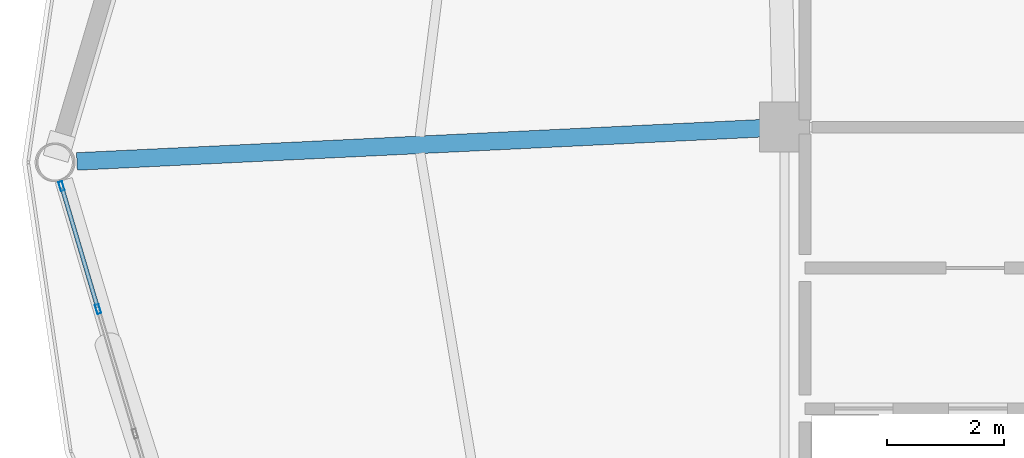
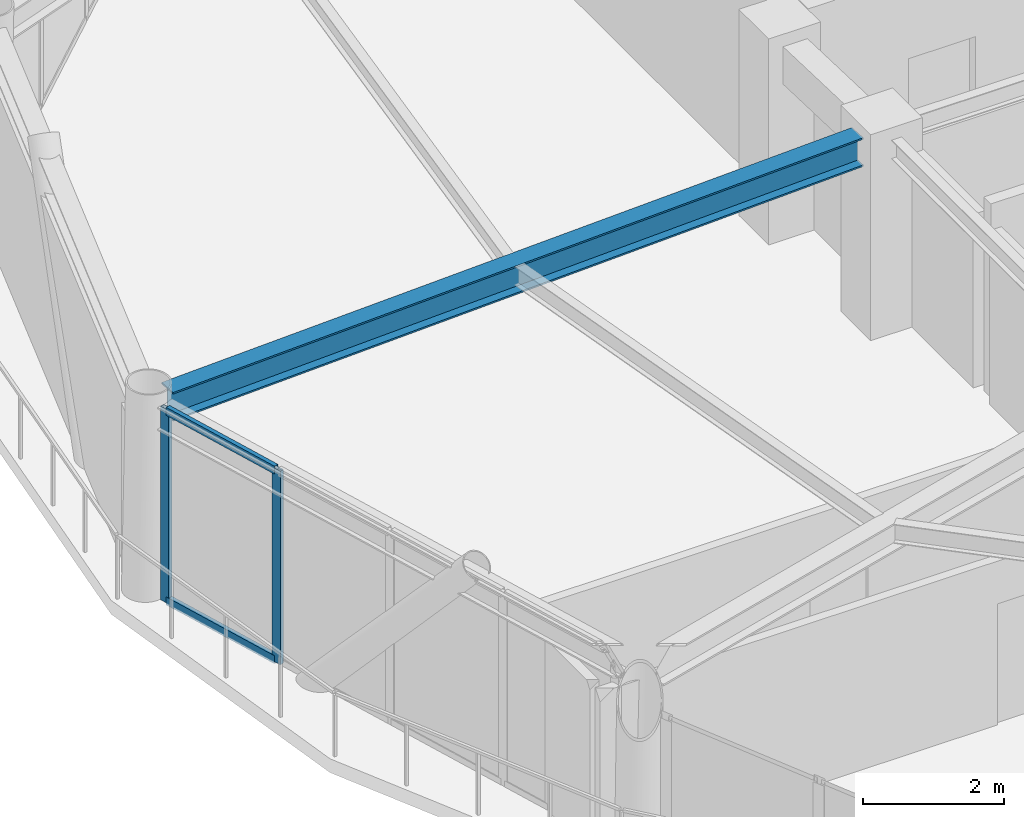
# One storey, part 11 of 28: 4 members, 1 beam, 1 element without a shape of its own.
"""IFC4 building model written with IfcOpenShell, lengths in metres."""

from ifc_helpers import new_model, si_unit, direction, frame, origin, origin_2d, place, context, subcontext, project, spatial, hollow_rectangle, i_section, extrude, material, layer, layer_set, material_profile, profile_set, type_object, element, aggregate, save


model = new_model("IFC4")

# Units and contexts
model_context = context("Model", 3, precision=1e-05, world=origin(), true_north=direction((0.0, 1.0)))
body_context = subcontext(model_context, "Body", "Model", "MODEL_VIEW")
ifc_project = project(units=[si_unit("LENGTHUNIT", "METRE"), si_unit("AREAUNIT", "SQUARE_METRE"), si_unit("VOLUMEUNIT", "CUBIC_METRE"), si_unit("PLANEANGLEUNIT", "RADIAN"), si_unit("MASSUNIT", "GRAM", prefix="KILO")], contexts=[model_context])

# Site, building, storey
site_placement = place(None, origin())
site = spatial("IfcSite", under=ifc_project, at=site_placement, CompositionType="ELEMENT")
building_placement = place(site_placement, origin())
building = spatial("IfcBuilding", under=site, at=building_placement, Name="Varnakorn Sky Granary", CompositionType="ELEMENT")
storey_placement = place(building_placement, frame((0.0, 0.0, 186.0)))
storey = spatial("IfcBuildingStorey", under=building, at=storey_placement, Name="L46", CompositionType="ELEMENT", Elevation=186.0)

# Beam
ifc_material_1 = material(Name="Steel S355JR", Category="steel")
ifc_material_profile_1 = material_profile(ifc_material_1, i_section(OverallWidth=0.300048828125, OverallDepth=0.5, WebThickness=0.014404296875, FlangeThickness=0.028076171875, at=origin_2d()), Name="HE 500 B")
ifc_profile_set_1 = profile_set([ifc_material_profile_1], Name="Steel S355JR")
beam_type = type_object("IfcBeamType", Name="BM-RAD-Z4", PredefinedType="BEAM", material=ifc_profile_set_1)
beam_placement = place(storey_placement, frame((-2.75439453125, 0.580322265625, 3.110107421875), z_axis=(-0.998827272636, -0.048415694134, 0.0), x_axis=(0.048415694134, -0.998827272636, 0.0)))
element("IfcBeam", 1, at=beam_placement, inside=storey, type_object=beam_type, Name="Radial Floor Girder RG07 L46", PredefinedType="BEAM", context=body_context, shape_type="SweptSolid", body=[
    extrude(i_section(OverallWidth=0.300048828125, OverallDepth=0.5, WebThickness=0.014404296875, FlangeThickness=0.028076171875, at=origin_2d()), origin(), (0.0, 0.0, 1.0), 11.673583984375),
])

# Curtain wall, members
ifc_material_2 = material(Name="Anodised Bronze Aluminium Alloy 6063-T6", Category="aluminium")
ifc_layer = layer(ifc_material_2, 0.169921875, Name="Anodised Bronze Aluminium Alloy 6063-T6")
ifc_layer_set = layer_set([ifc_layer], Name="Anodised Bronze Aluminium Alloy 6063-T6")
curtain_wall_type = type_object("IfcCurtainWallType", Name="CW-LAB-1", PredefinedType="USERDEFINED", material=ifc_layer_set)
curtain_wall_placement = place(storey_placement, origin())
curtain_wall = element("IfcCurtainWall", 2, at=curtain_wall_placement, inside=storey, type_object=curtain_wall_type, Name="Unitised Curtain Wall CW5 CW-L46-B07", ObjectType="CURTAIN WALL", PredefinedType="USERDEFINED")
ifc_material_profile_2 = material_profile(ifc_material_2, hollow_rectangle(XDim=0.06494140625, YDim=0.159912109375, WallThickness=0.00341796875, at=origin_2d()), Name="ALU MULL 65x160")
ifc_profile_set_2 = profile_set([ifc_material_profile_2], Name="Anodised Bronze Aluminium Alloy 6063-T6")
member_type_1 = type_object("IfcMemberType", Name="CW-LAB-1-MULL", PredefinedType="MULLION", material=ifc_profile_set_2)
member_1_placement = place(storey_placement, frame((-14.05419921875, -2.5009765625, 0.0), z_axis=(0.0, 0.0, 1.0), x_axis=(-0.958613672651, -0.28471007465, 0.0)))
member_1 = element("IfcMember", 3, at=member_1_placement, type_object=member_type_1, Name="CW5 mullion 4", PredefinedType="MULLION", context=body_context, shape_type="SweptSolid", body=[
    extrude(hollow_rectangle(XDim=0.06494140625, YDim=0.159912109375, WallThickness=0.00341796875, at=origin_2d()), origin(), (0.0, 0.0, 1.0), 3.360107421875),
])
member_2_placement = place(storey_placement, frame((-14.6767578125, -0.405029296875, 0.0), z_axis=(0.0, 0.0, 1.0), x_axis=(-0.958613672651, -0.28471007465, 0.0)))
member_2 = element("IfcMember", 4, at=member_2_placement, type_object=member_type_1, Name="CW5 mullion 5", PredefinedType="MULLION", context=body_context, shape_type="SweptSolid", body=[
    extrude(hollow_rectangle(XDim=0.06494140625, YDim=0.159912109375, WallThickness=0.00341796875, at=origin_2d()), origin(), (0.0, 0.0, 1.0), 3.360107421875),
])
ifc_material_profile_3 = material_profile(ifc_material_2, hollow_rectangle(XDim=0.070068359375, YDim=0.139892578125, WallThickness=0.00341796875, at=origin_2d()), Name="ALU TRAN 70x140")
ifc_profile_set_3 = profile_set([ifc_material_profile_3], Name="Anodised Bronze Aluminium Alloy 6063-T6")
member_type_2 = type_object("IfcMemberType", Name="CW-LAB-1-TRAN", PredefinedType="USERDEFINED", material=ifc_profile_set_3)
member_3_placement = place(storey_placement, frame((-14.0634765625, -2.469970703125, 0.034912109375), z_axis=(-0.284707350293, 0.958614481786, 0.0), x_axis=(-0.958614481786, -0.284707350293, 0.0)))
member_3 = element("IfcMember", 5, at=member_3_placement, type_object=member_type_2, Name="CW5 transom 4.1", ObjectType="TRANSOM", PredefinedType="USERDEFINED", context=body_context, shape_type="SweptSolid", body=[
    extrude(hollow_rectangle(XDim=0.070068359375, YDim=0.139892578125, WallThickness=0.00341796875, at=origin_2d()), origin(), (0.0, 0.0, 1.0), 2.12158203125),
])
member_4_placement = place(storey_placement, frame((-14.0634765625, -2.469970703125, 3.324951171875), z_axis=(-0.284707350293, 0.958614481786, 0.0), x_axis=(-0.958614481786, -0.284707350293, 0.0)))
member_4 = element("IfcMember", 6, at=member_4_placement, type_object=member_type_2, Name="CW5 transom 4.2", ObjectType="TRANSOM", PredefinedType="USERDEFINED", context=body_context, shape_type="SweptSolid", body=[
    extrude(hollow_rectangle(XDim=0.070068359375, YDim=0.139892578125, WallThickness=0.00341796875, at=origin_2d()), origin(), (0.0, 0.0, 1.0), 2.12158203125),
])
aggregate(curtain_wall, [member_1, member_2, member_3, member_4])

save(model, "model.ifc")
